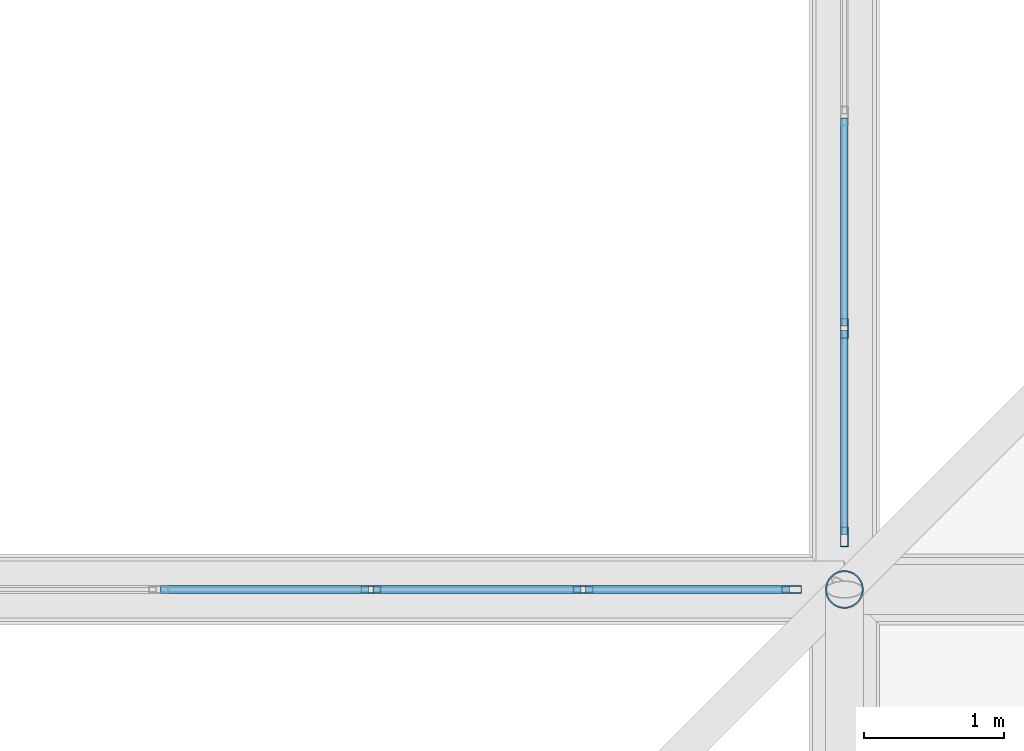
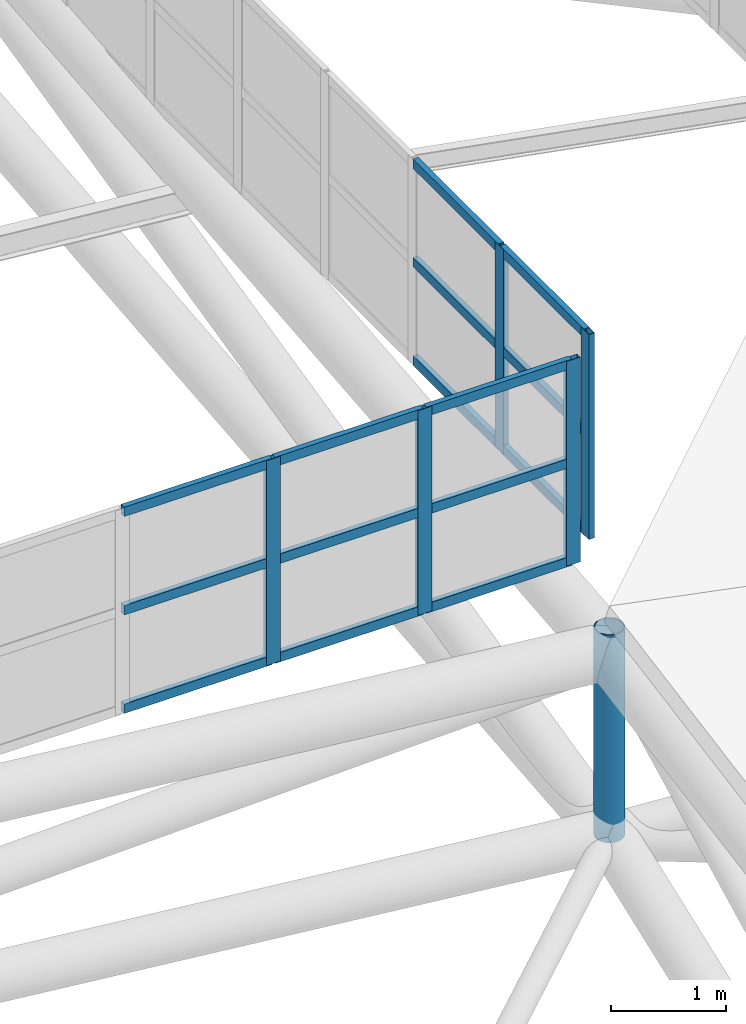
# One storey, part 122 of 397: 21 members, 2 elements without a shape of their own.
"""IFC4 building model written with IfcOpenShell, lengths in metres."""

import ifcopenshell
import ifcopenshell.guid

model = None  # the IFC model being written
_history = None  # IfcOwnerHistory: only IFC2X3 demands one
_inside = {}  # id of a spatial element -> (the spatial element, [elements in it])
_under = {}  # id of a project, library or spatial element -> (it, [spatial elements below it])
_declared = {}  # id of a project -> (the project, [libraries it declares])
_typed = {}  # id of a type object -> (the type object, [elements of that type])
_made_of = {}  # id of a material, layer set ... -> (it, [elements and type objects made of it])


def new_model(schema):
    """Start an empty IFC model of exactly this schema.

    Asked for "IFC4X3", IfcOpenShell would pick the latest addendum, in which some entities
    have other attributes; the version numbers below select the first issue.
    IFC2X3 requires an IfcOwnerHistory on every rooted entity: one is made here for all.
    """
    global model, _history
    if schema == "IFC4X3":
        model = ifcopenshell.file(schema_version=(4, 3, 0, 0))
    else:
        model = ifcopenshell.file(schema=schema)
    _inside.clear()
    _under.clear()
    _declared.clear()
    _typed.clear()
    _made_of.clear()
    _history = None
    if model.schema == "IFC2X3":
        org = make("IfcOrganization", Name="unknown")
        user = make(
            "IfcPersonAndOrganization",
            ThePerson=make("IfcPerson", FamilyName="unknown"),
            TheOrganization=org,
        )
        app = make(
            "IfcApplication",
            ApplicationDeveloper=org,
            Version="unknown",
            ApplicationFullName="unknown",
            ApplicationIdentifier="unknown",
        )
        _history = make(
            "IfcOwnerHistory",
            OwningUser=user,
            OwningApplication=app,
            ChangeAction="ADDED",
            CreationDate=0,
        )
    return model


def make(cls, **values):
    """One entity of the class cls with the attributes given. An attribute that is None is left unset."""
    return model.create_entity(
        cls, **{name: value for name, value in values.items() if value is not None}
    )


def rooted(cls, **values):
    """An entity with a GlobalId (a new one), such as an element, a storey or a relation."""
    return make(cls, GlobalId=ifcopenshell.guid.new(), OwnerHistory=_history, **values)


def si_unit(unit_type, name, prefix=None):
    """IfcSIUnit, for example si_unit("LENGTHUNIT", "METRE", prefix="MILLI")."""
    return make("IfcSIUnit", UnitType=unit_type, Prefix=prefix, Name=name)


def assignment(units):
    """IfcUnitAssignment: the units of a project."""
    return None if units is None else make("IfcUnitAssignment", Units=units)


def point(xyz):
    """IfcCartesianPoint."""
    return None if xyz is None else make("IfcCartesianPoint", Coordinates=xyz)


def direction(xyz):
    """IfcDirection."""
    return None if xyz is None else make("IfcDirection", DirectionRatios=xyz)


def frame(location, z_axis=None, x_axis=None):
    """IfcAxis2Placement3D, a coordinate frame: its origin and axes. An axis left out is left unset."""
    return make(
        "IfcAxis2Placement3D",
        Location=point(location),
        Axis=direction(z_axis),
        RefDirection=direction(x_axis),
    )


def frame_2d(location, x_axis=None):
    """IfcAxis2Placement2D, a coordinate frame in the plane: its origin and x axis."""
    return make(
        "IfcAxis2Placement2D", Location=point(location), RefDirection=direction(x_axis)
    )


def origin():
    """The frame at (0, 0, 0) with its axes left unset."""
    return frame((0.0, 0.0, 0.0))


def origin_2d():
    """The frame at (0, 0) in the plane with its x axis left unset."""
    return frame_2d((0.0, 0.0))


def place(relative_to, where):
    """IfcLocalPlacement: puts the frame where relative to a parent placement (None: the world)."""
    return make(
        "IfcLocalPlacement", PlacementRelTo=relative_to, RelativePlacement=where
    )


def context(
    kind, dimensions, precision=None, world=None, true_north=None, identifier=None
):
    """IfcGeometricRepresentationContext, for example the 3D "Model" context."""
    return make(
        "IfcGeometricRepresentationContext",
        ContextIdentifier=identifier,
        ContextType=kind,
        CoordinateSpaceDimension=dimensions,
        Precision=precision,
        WorldCoordinateSystem=world,
        TrueNorth=true_north,
    )


def subcontext(parent, identifier, kind, view, scale=None):
    """IfcGeometricRepresentationSubContext, for example "Body" below "Model"."""
    return make(
        "IfcGeometricRepresentationSubContext",
        ContextIdentifier=identifier,
        ContextType=kind,
        ParentContext=parent,
        TargetScale=scale,
        TargetView=view,
    )


def project(units=None, contexts=None):
    """IfcProject with its units and contexts."""
    return rooted(
        "IfcProject",
        Name="project",
        RepresentationContexts=contexts,
        UnitsInContext=assignment(units),
    )


def spatial(cls, under=None, at=None, **own):
    """A site, building, storey or space (cls), placed at a placement, below another one or the project."""
    s = rooted(cls, ObjectPlacement=at, **own)
    if under is not None:
        _under.setdefault(under.id(), (under, []))[1].append(s)
    return s


def profile(cls, at=None, kind="AREA", **sizes):
    """A parametric profile (cls). Its sizes go by their IFC names, for example OverallWidth=200.0."""
    return make(cls, ProfileType=kind, Position=at, **sizes)


def hollow_rectangle(**sizes):
    """IfcRectangleHollowProfileDef."""
    return profile("IfcRectangleHollowProfileDef", **sizes)


def hollow_circle(**sizes):
    """IfcCircleHollowProfileDef."""
    return profile("IfcCircleHollowProfileDef", **sizes)


def extrude(swept, where, along, depth):
    """IfcExtrudedAreaSolid: the profile swept, set in the frame where, extruded along a direction by depth."""
    return make(
        "IfcExtrudedAreaSolid",
        SweptArea=swept,
        Position=where,
        ExtrudedDirection=direction(along),
        Depth=depth,
    )


def shape(context_of_items, identifier, shape_type, items):
    """IfcShapeRepresentation: the items that make up one representation, for example the "Body"."""
    return make(
        "IfcShapeRepresentation",
        ContextOfItems=context_of_items,
        RepresentationIdentifier=identifier,
        RepresentationType=shape_type,
        Items=items,
    )


def material(Name=None, Category=None):
    """IfcMaterial."""
    return make("IfcMaterial", Name=Name, Category=Category)


def material_profile(
    of_material, cross_section, Name=None, Category=None, Priority=None
):
    """IfcMaterialProfile: a cross section and its material."""
    return make(
        "IfcMaterialProfile",
        Name=Name,
        Material=of_material,
        Profile=cross_section,
        Priority=Priority,
        Category=Category,
    )


def profile_set(profiles, Name=None, composite=None):
    """IfcMaterialProfileSet."""
    return make(
        "IfcMaterialProfileSet",
        Name=Name,
        MaterialProfiles=profiles,
        CompositeProfile=composite,
    )


def made_of(thing, what):
    """Note that an element or type object is made of a material, layer set ...; save() writes the relation."""
    if what is not None:
        _made_of.setdefault(what.id(), (what, []))[1].append(thing)
    return thing


def type_object(cls, material=None, **own):
    """A type object (cls), such as IfcWallType, which elements share."""
    return made_of(rooted(cls, **own), material)


def element(
    cls,
    number,
    at=None,
    inside=None,
    cuts=None,
    type_object=None,
    material=None,
    context=None,
    identifier="Body",
    shape_type=None,
    held_by="IfcProductDefinitionShape",
    body=None,
    shapes=None,
    **own,
):
    """One element of the class cls, such as IfcWall. Its Tag is "e" and its number.

    at: its placement. inside: the storey or other place that contains it. cuts: it is an
    opening in that element (IfcRelVoidsElement). A single representation is given by context,
    identifier, shape_type and body (its items); several are given by shapes. held_by: the class
    of the entity that holds the representations. save() writes the other relations.
    """
    e = rooted(cls, Tag="e%d" % number, ObjectPlacement=at, **own)
    if body is not None:
        shapes = [shape(context, identifier, shape_type, body)]
    if shapes is not None:
        e.Representation = make(held_by, Representations=shapes)
    if inside is not None:
        _inside.setdefault(inside.id(), (inside, []))[1].append(e)
    if cuts is not None:
        rooted(
            "IfcRelVoidsElement", RelatingBuildingElement=cuts, RelatedOpeningElement=e
        )
    if type_object is not None:
        _typed.setdefault(type_object.id(), (type_object, []))[1].append(e)
    return made_of(e, material)


def aggregate(whole, parts):
    """IfcRelAggregates: a whole, such as a stair, and the parts it consists of."""
    return rooted("IfcRelAggregates", RelatingObject=whole, RelatedObjects=parts)


def save(model, path):
    """Write the relations noted so far, then the file.

    IfcRelAggregates (storeys below a building ...), IfcRelContainedInSpatialStructure (elements
    in a storey), IfcRelDefinesByType, IfcRelAssociatesMaterial and IfcRelDeclares: one each for
    every whole, place, type object, material and project.
    """
    for whole, parts in _under.values():
        aggregate(whole, parts)
    for where, things in _inside.values():
        rooted(
            "IfcRelContainedInSpatialStructure",
            RelatedElements=things,
            RelatingStructure=where,
        )
    for kind, things in _typed.values():
        rooted("IfcRelDefinesByType", RelatedObjects=things, RelatingType=kind)
    for what, things in _made_of.values():
        rooted("IfcRelAssociatesMaterial", RelatedObjects=things, RelatingMaterial=what)
    for by, libraries in _declared.values():
        rooted("IfcRelDeclares", RelatingContext=by, RelatedDefinitions=libraries)
    model.write(path)


model = new_model("IFC4")

# Units and contexts
model_context = context("Model", 3, precision=1e-05, world=origin(), true_north=direction((0.0, 1.0)))
body_context = subcontext(model_context, "Body", "Model", "MODEL_VIEW")
ifc_project = project(units=[si_unit("LENGTHUNIT", "METRE"), si_unit("AREAUNIT", "SQUARE_METRE"), si_unit("VOLUMEUNIT", "CUBIC_METRE"), si_unit("PLANEANGLEUNIT", "RADIAN"), si_unit("MASSUNIT", "GRAM", prefix="KILO")], contexts=[model_context])

# Site, building, storey
site_placement = place(None, origin())
site = spatial("IfcSite", under=ifc_project, at=site_placement, CompositionType="ELEMENT")
building_placement = place(site_placement, origin())
building = spatial("IfcBuilding", under=site, at=building_placement, Name="Qandorah Velis Arena", CompositionType="ELEMENT")
storey_placement = place(building_placement, frame((0.0, 0.0, 27.5)))
storey = spatial("IfcBuildingStorey", under=building, at=storey_placement, Name="RF", CompositionType="ELEMENT", Elevation=27.5)

# Curtain wall, members
ifc_material_1 = material(Name="Solar-control low-E double glazing", Category="glass")
curtain_wall_type_1 = type_object("IfcCurtainWallType", Name="ARC-CW-SYS11", PredefinedType="USERDEFINED", material=ifc_material_1)
curtain_wall_1_placement = place(storey_placement, origin())
curtain_wall_1 = element("IfcCurtainWall", 1, at=curtain_wall_1_placement, inside=storey, type_object=curtain_wall_type_1, Name="Unitised curtain wall OCULUS-2-1", ObjectType="UNITISED CURTAIN WALL", PredefinedType="USERDEFINED")
ifc_material_2 = material(Name="Champagne-bronze anodized aluminium 6063-T6", Category="aluminium")
ifc_material_profile_1 = material_profile(ifc_material_2, hollow_rectangle(XDim=0.054931640625, YDim=0.139892578125, WallThickness=0.0029296875, at=origin_2d()), Name="ALU MULLION 55x140")
ifc_profile_set_1 = profile_set([ifc_material_profile_1], Name="Champagne-bronze anodized aluminium 6063-T6")
member_type_1 = type_object("IfcMemberType", Name="ARC-CWM-140", PredefinedType="MULLION", material=ifc_profile_set_1)
member_1_placement = place(storey_placement, frame((100.800048828125, 29.177490234375, 8.470947265625), z_axis=(0.0, 0.0, 1.0), x_axis=(-1.0, 0.0, 0.0)))
member_1 = element("IfcMember", 2, at=member_1_placement, type_object=member_type_1, Name="CW11 mullion 1", PredefinedType="MULLION", context=body_context, shape_type="SweptSolid", body=[
    extrude(hollow_rectangle(XDim=0.054931640625, YDim=0.139892578125, WallThickness=0.0029296875, at=origin_2d()), origin(), (0.0, 0.0, 1.0), 2.179931640625),
])
member_2_placement = place(storey_placement, frame((100.800048828125, 30.672119140625, 8.470947265625), z_axis=(0.0, 0.0, 1.0), x_axis=(-1.0, 0.0, 0.0)))
member_2 = element("IfcMember", 3, at=member_2_placement, type_object=member_type_1, Name="CW11 mullion 2", PredefinedType="MULLION", context=body_context, shape_type="SweptSolid", body=[
    extrude(hollow_rectangle(XDim=0.054931640625, YDim=0.139892578125, WallThickness=0.0029296875, at=origin_2d()), origin(), (0.0, 0.0, 1.0), 2.179931640625),
])

curtain_wall_type_2 = type_object("IfcCurtainWallType", Name="ARC-CW-SYS20", PredefinedType="USERDEFINED", material=ifc_material_1)
curtain_wall_2_placement = place(storey_placement, origin())
curtain_wall_2 = element("IfcCurtainWall", 4, at=curtain_wall_2_placement, inside=storey, type_object=curtain_wall_type_2, Name="Unitised curtain wall OCULUS-3-5", ObjectType="UNITISED CURTAIN WALL", PredefinedType="USERDEFINED")
member_3_placement = place(storey_placement, frame((97.405517578125, 28.800048828125, 8.53515625), z_axis=(0.0, 0.0, 1.0), x_axis=(0.0, 1.0, 0.0)))
member_3 = element("IfcMember", 5, at=member_3_placement, type_object=member_type_1, Name="CW20 mullion 8", PredefinedType="MULLION", context=body_context, shape_type="SweptSolid", body=[
    extrude(hollow_rectangle(XDim=0.054931640625, YDim=0.139892578125, WallThickness=0.0029296875, at=origin_2d()), origin(), (0.0, 0.0, 1.0), 2.179931640625),
])
member_4_placement = place(storey_placement, frame((98.927734375, 28.800048828125, 8.53515625), z_axis=(0.0, 0.0, 1.0), x_axis=(0.0, 1.0, 0.0)))
member_4 = element("IfcMember", 6, at=member_4_placement, type_object=member_type_1, Name="CW20 mullion 9", PredefinedType="MULLION", context=body_context, shape_type="SweptSolid", body=[
    extrude(hollow_rectangle(XDim=0.054931640625, YDim=0.139892578125, WallThickness=0.0029296875, at=origin_2d()), origin(), (0.0, 0.0, 1.0), 2.179931640625),
])
member_5_placement = place(storey_placement, frame((100.422607421875, 28.800048828125, 8.53515625), z_axis=(0.0, 0.0, 1.0), x_axis=(0.0, 1.0, 0.0)))
member_5 = element("IfcMember", 7, at=member_5_placement, type_object=member_type_1, Name="CW20 mullion 10", PredefinedType="MULLION", context=body_context, shape_type="SweptSolid", body=[
    extrude(hollow_rectangle(XDim=0.054931640625, YDim=0.139892578125, WallThickness=0.0029296875, at=origin_2d()), origin(), (0.0, 0.0, 1.0), 2.179931640625),
])

# Member
ifc_material_profile_2 = material_profile(ifc_material_2, hollow_rectangle(XDim=0.054931640625, YDim=0.10009765625, WallThickness=0.0029296875, at=origin_2d()), Name="ALU TRANSOM 55x100")
ifc_profile_set_2 = profile_set([ifc_material_profile_2], Name="Champagne-bronze anodized aluminium 6063-T6")
member_type_2 = type_object("IfcMemberType", Name="ARC-CWT-100", PredefinedType="USERDEFINED", material=ifc_profile_set_2)
member_6_placement = place(storey_placement, frame((100.800048828125, 29.193115234375, 8.513427734375), z_axis=(0.0, 1.0, 0.0), x_axis=(-1.0, 0.0, 0.0)))
member_6 = element("IfcMember", 8, at=member_6_placement, type_object=member_type_2, Name="CW11 transom 1.1", ObjectType="TRANSOM", PredefinedType="USERDEFINED", context=body_context, shape_type="SweptSolid", body=[
    extrude(hollow_rectangle(XDim=0.054931640625, YDim=0.10009765625, WallThickness=0.0029296875, at=origin_2d()), origin(), (0.0, 0.0, 1.0), 1.463623046875),
])

member_7_placement = place(storey_placement, frame((100.800048828125, 29.193115234375, 9.56103515625), z_axis=(0.0, 1.0, 0.0), x_axis=(-1.0, 0.0, 0.0)))
member_7 = element("IfcMember", 9, at=member_7_placement, type_object=member_type_2, Name="CW11 transom 1.2", ObjectType="TRANSOM", PredefinedType="USERDEFINED", context=body_context, shape_type="SweptSolid", body=[
    extrude(hollow_rectangle(XDim=0.054931640625, YDim=0.10009765625, WallThickness=0.0029296875, at=origin_2d()), origin(), (0.0, 0.0, 1.0), 1.463623046875),
])

member_8_placement = place(storey_placement, frame((100.800048828125, 29.193115234375, 10.6083984375), z_axis=(0.0, 1.0, 0.0), x_axis=(-1.0, 0.0, 0.0)))
member_8 = element("IfcMember", 10, at=member_8_placement, type_object=member_type_2, Name="CW11 transom 1.3", ObjectType="TRANSOM", PredefinedType="USERDEFINED", context=body_context, shape_type="SweptSolid", body=[
    extrude(hollow_rectangle(XDim=0.054931640625, YDim=0.10009765625, WallThickness=0.0029296875, at=origin_2d()), origin(), (0.0, 0.0, 1.0), 1.463623046875),
])

member_9_placement = place(storey_placement, frame((100.800048828125, 30.687744140625, 8.513427734375), z_axis=(0.0, 1.0, 0.0), x_axis=(-1.0, 0.0, 0.0)))
member_9 = element("IfcMember", 11, at=member_9_placement, type_object=member_type_2, Name="CW11 transom 2.1", ObjectType="TRANSOM", PredefinedType="USERDEFINED", context=body_context, shape_type="SweptSolid", body=[
    extrude(hollow_rectangle(XDim=0.054931640625, YDim=0.10009765625, WallThickness=0.0029296875, at=origin_2d()), origin(), (0.0, 0.0, 1.0), 1.4912109375),
])

member_10_placement = place(storey_placement, frame((100.800048828125, 30.687744140625, 9.56103515625), z_axis=(0.0, 1.0, 0.0), x_axis=(-1.0, 0.0, 0.0)))
member_10 = element("IfcMember", 12, at=member_10_placement, type_object=member_type_2, Name="CW11 transom 2.2", ObjectType="TRANSOM", PredefinedType="USERDEFINED", context=body_context, shape_type="SweptSolid", body=[
    extrude(hollow_rectangle(XDim=0.054931640625, YDim=0.10009765625, WallThickness=0.0029296875, at=origin_2d()), origin(), (0.0, 0.0, 1.0), 1.4912109375),
])

member_11_placement = place(storey_placement, frame((100.800048828125, 30.687744140625, 10.6083984375), z_axis=(0.0, 1.0, 0.0), x_axis=(-1.0, 0.0, 0.0)))
member_11 = element("IfcMember", 13, at=member_11_placement, type_object=member_type_2, Name="CW11 transom 2.3", ObjectType="TRANSOM", PredefinedType="USERDEFINED", context=body_context, shape_type="SweptSolid", body=[
    extrude(hollow_rectangle(XDim=0.054931640625, YDim=0.10009765625, WallThickness=0.0029296875, at=origin_2d()), origin(), (0.0, 0.0, 1.0), 1.4912109375),
])

aggregate(curtain_wall_1, [member_1, member_2, member_6, member_7, member_8, member_9, member_10, member_11])

member_12_placement = place(storey_placement, frame((95.898681640625, 28.800048828125, 8.57763671875), z_axis=(1.0, 0.0, 0.0), x_axis=(0.0, 1.0, 0.0)))
member_12 = element("IfcMember", 14, at=member_12_placement, type_object=member_type_2, Name="CW20 transom 7.1", ObjectType="TRANSOM", PredefinedType="USERDEFINED", context=body_context, shape_type="SweptSolid", body=[
    extrude(hollow_rectangle(XDim=0.054931640625, YDim=0.10009765625, WallThickness=0.0029296875, at=origin_2d()), origin(), (0.0, 0.0, 1.0), 1.491455078125),
])

member_13_placement = place(storey_placement, frame((95.898681640625, 28.800048828125, 9.625244140625), z_axis=(1.0, 0.0, 0.0), x_axis=(0.0, 1.0, 0.0)))
member_13 = element("IfcMember", 15, at=member_13_placement, type_object=member_type_2, Name="CW20 transom 7.2", ObjectType="TRANSOM", PredefinedType="USERDEFINED", context=body_context, shape_type="SweptSolid", body=[
    extrude(hollow_rectangle(XDim=0.054931640625, YDim=0.10009765625, WallThickness=0.0029296875, at=origin_2d()), origin(), (0.0, 0.0, 1.0), 1.491455078125),
])

member_14_placement = place(storey_placement, frame((95.898681640625, 28.800048828125, 10.672607421875), z_axis=(1.0, 0.0, 0.0), x_axis=(0.0, 1.0, 0.0)))
member_14 = element("IfcMember", 16, at=member_14_placement, type_object=member_type_2, Name="CW20 transom 7.3", ObjectType="TRANSOM", PredefinedType="USERDEFINED", context=body_context, shape_type="SweptSolid", body=[
    extrude(hollow_rectangle(XDim=0.054931640625, YDim=0.10009765625, WallThickness=0.0029296875, at=origin_2d()), origin(), (0.0, 0.0, 1.0), 1.491455078125),
])

member_15_placement = place(storey_placement, frame((97.421142578125, 28.800048828125, 8.57763671875), z_axis=(1.0, 0.0, 0.0), x_axis=(0.0, 1.0, 0.0)))
member_15 = element("IfcMember", 17, at=member_15_placement, type_object=member_type_2, Name="CW20 transom 8.1", ObjectType="TRANSOM", PredefinedType="USERDEFINED", context=body_context, shape_type="SweptSolid", body=[
    extrude(hollow_rectangle(XDim=0.054931640625, YDim=0.10009765625, WallThickness=0.0029296875, at=origin_2d()), origin(), (0.0, 0.0, 1.0), 1.4912109375),
])

member_16_placement = place(storey_placement, frame((97.421142578125, 28.800048828125, 9.625244140625), z_axis=(1.0, 0.0, 0.0), x_axis=(0.0, 1.0, 0.0)))
member_16 = element("IfcMember", 18, at=member_16_placement, type_object=member_type_2, Name="CW20 transom 8.2", ObjectType="TRANSOM", PredefinedType="USERDEFINED", context=body_context, shape_type="SweptSolid", body=[
    extrude(hollow_rectangle(XDim=0.054931640625, YDim=0.10009765625, WallThickness=0.0029296875, at=origin_2d()), origin(), (0.0, 0.0, 1.0), 1.4912109375),
])

member_17_placement = place(storey_placement, frame((97.421142578125, 28.800048828125, 10.672607421875), z_axis=(1.0, 0.0, 0.0), x_axis=(0.0, 1.0, 0.0)))
member_17 = element("IfcMember", 19, at=member_17_placement, type_object=member_type_2, Name="CW20 transom 8.3", ObjectType="TRANSOM", PredefinedType="USERDEFINED", context=body_context, shape_type="SweptSolid", body=[
    extrude(hollow_rectangle(XDim=0.054931640625, YDim=0.10009765625, WallThickness=0.0029296875, at=origin_2d()), origin(), (0.0, 0.0, 1.0), 1.4912109375),
])

member_18_placement = place(storey_placement, frame((98.943359375, 28.800048828125, 8.57763671875), z_axis=(1.0, 0.0, 0.0), x_axis=(0.0, 1.0, 0.0)))
member_18 = element("IfcMember", 20, at=member_18_placement, type_object=member_type_2, Name="CW20 transom 9.1", ObjectType="TRANSOM", PredefinedType="USERDEFINED", context=body_context, shape_type="SweptSolid", body=[
    extrude(hollow_rectangle(XDim=0.054931640625, YDim=0.10009765625, WallThickness=0.0029296875, at=origin_2d()), origin(), (0.0, 0.0, 1.0), 1.463623046875),
])

member_19_placement = place(storey_placement, frame((98.943359375, 28.800048828125, 9.625244140625), z_axis=(1.0, 0.0, 0.0), x_axis=(0.0, 1.0, 0.0)))
member_19 = element("IfcMember", 21, at=member_19_placement, type_object=member_type_2, Name="CW20 transom 9.2", ObjectType="TRANSOM", PredefinedType="USERDEFINED", context=body_context, shape_type="SweptSolid", body=[
    extrude(hollow_rectangle(XDim=0.054931640625, YDim=0.10009765625, WallThickness=0.0029296875, at=origin_2d()), origin(), (0.0, 0.0, 1.0), 1.463623046875),
])

member_20_placement = place(storey_placement, frame((98.943359375, 28.800048828125, 10.672607421875), z_axis=(1.0, 0.0, 0.0), x_axis=(0.0, 1.0, 0.0)))
member_20 = element("IfcMember", 22, at=member_20_placement, type_object=member_type_2, Name="CW20 transom 9.3", ObjectType="TRANSOM", PredefinedType="USERDEFINED", context=body_context, shape_type="SweptSolid", body=[
    extrude(hollow_rectangle(XDim=0.054931640625, YDim=0.10009765625, WallThickness=0.0029296875, at=origin_2d()), origin(), (0.0, 0.0, 1.0), 1.463623046875),
])

aggregate(curtain_wall_2, [member_3, member_4, member_5, member_12, member_13, member_14, member_15, member_16, member_17, member_18, member_19, member_20])

ifc_material_3 = material(Name="Steel S355", Category="steel")
ifc_material_profile_3 = material_profile(ifc_material_3, hollow_circle(Radius=0.136474609375, WallThickness=0.010009765625, at=origin_2d()), Name="CHS 273x10")
ifc_profile_set_3 = profile_set([ifc_material_profile_3], Name="Steel S355")
member_type_3 = type_object("IfcMemberType", Name="STR-SFD-CHS273X10", PredefinedType="STRUT", material=ifc_profile_set_3)
member_21_placement = place(storey_placement, frame((100.800048828125, 28.800048828125, 5.515380859375), z_axis=(0.0, 0.0, 1.0), x_axis=(1.0, 0.0, 0.0)))
element("IfcMember", 23, at=member_21_placement, inside=storey, type_object=member_type_3, Name="Space frame roof vertical post 6.1", PredefinedType="STRUT", context=body_context, shape_type="SweptSolid", body=[
    extrude(hollow_circle(Radius=0.136474609375, WallThickness=0.010009765625, at=origin_2d()), origin(), (0.0, 0.0, 1.0), 2.2099609375),
])

save(model, "model.ifc")
